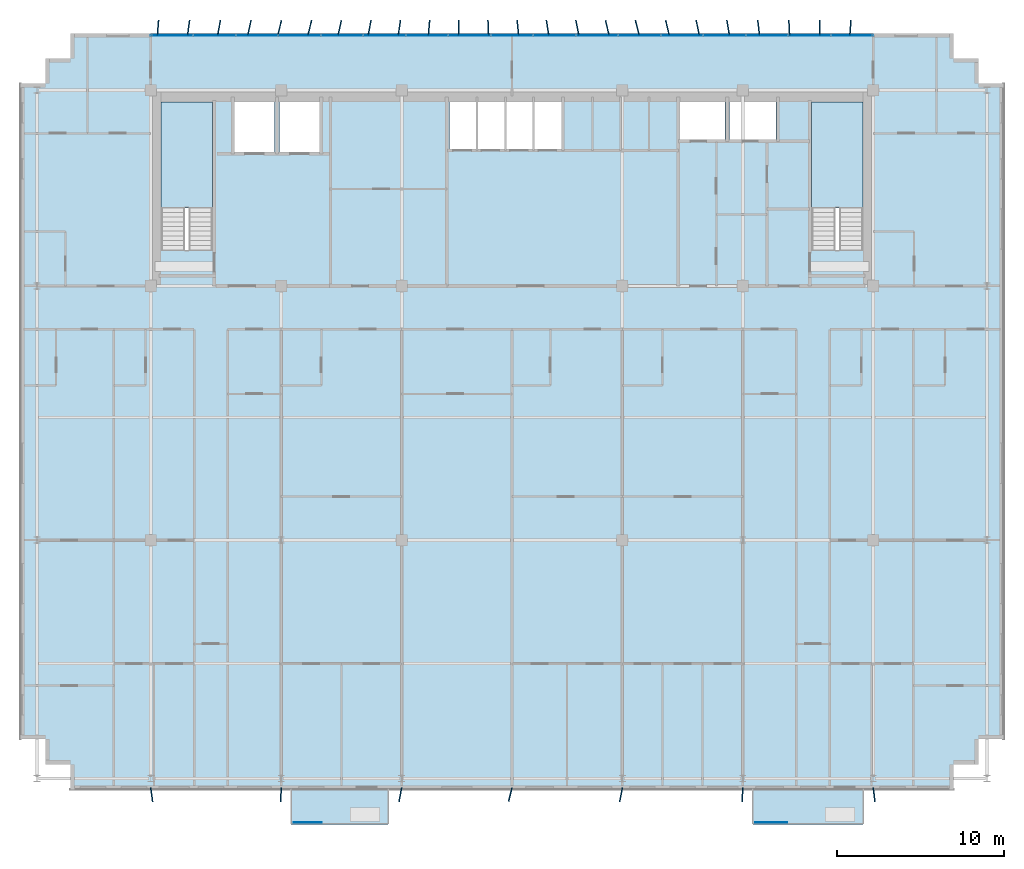
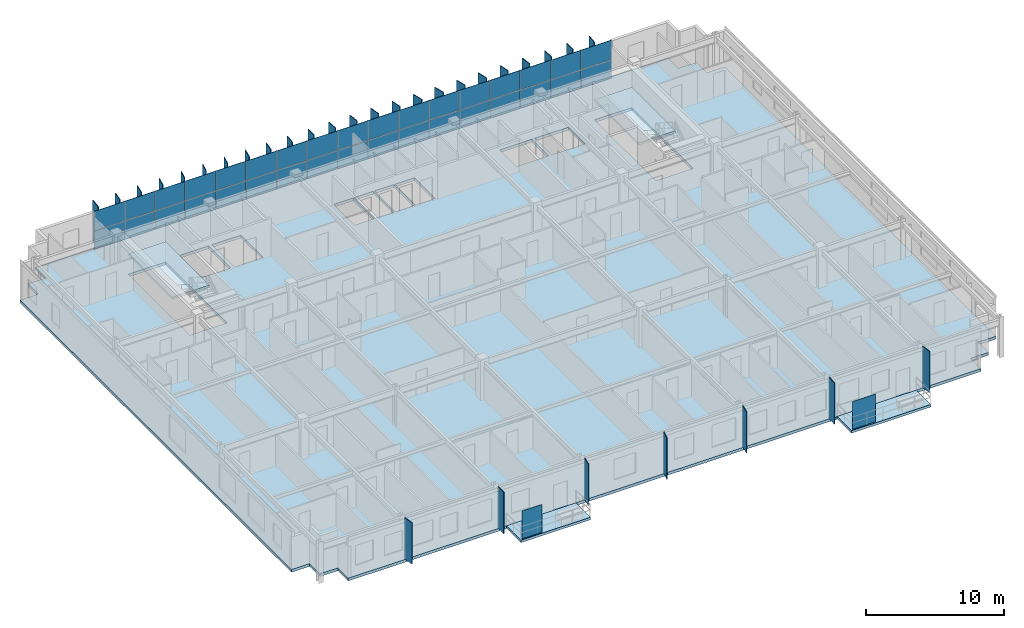
# One storey, part 13 of 21: 67 plates, 5 slabs, 3 elements without a shape of their own.
"""IFC4 building model written with IfcOpenShell, lengths in metres."""

from ifc_helpers import new_model, si_unit, direction, frame, origin, origin_2d, place, context, subcontext, project, spatial, polyline, rectangle, outline, extrude, source, transform, mapped, material, layer, layer_set, type_object, element, aggregate, save


model = new_model("IFC4")

# Units and contexts
model_context = context("Model", 3, precision=1e-05, world=origin(), true_north=direction((0.0, 1.0)))
body_context = subcontext(model_context, "Body", "Model", "MODEL_VIEW")
ifc_project = project(units=[si_unit("LENGTHUNIT", "METRE"), si_unit("AREAUNIT", "SQUARE_METRE"), si_unit("VOLUMEUNIT", "CUBIC_METRE"), si_unit("PLANEANGLEUNIT", "RADIAN"), si_unit("MASSUNIT", "GRAM", prefix="KILO")], contexts=[model_context])

# Site, building, storey
site_placement = place(None, origin())
site = spatial("IfcSite", under=ifc_project, at=site_placement, CompositionType="ELEMENT")
building_placement = place(site_placement, origin())
building = spatial("IfcBuilding", under=site, at=building_placement, Name="Trelvane Seafront Commons", CompositionType="ELEMENT")
storey_placement = place(building_placement, frame((0.0, 0.0, 135.699951171875)))
storey = spatial("IfcBuildingStorey", under=building, at=storey_placement, Name="L35", CompositionType="ELEMENT", Elevation=135.699951171875)

# Slabs
ifc_material_1 = material(Name="Concrete C40/50", Category="concrete")
ifc_layer_1 = layer(ifc_material_1, 0.219970703125, Name="ARCH-BALC-220")
ifc_layer_set_1 = layer_set([ifc_layer_1], Name="Concrete C40/50")
slab_type_1 = type_object("IfcSlabType", Name="ARCH-BALC-220", PredefinedType="FLOOR", material=ifc_layer_set_1)
slab_1_placement = place(storey_placement, frame((0.0, 0.0, -0.219970703125)))
element("IfcSlab", 1, at=slab_1_placement, inside=storey, type_object=slab_type_1, Name="L35 Cantilevered Tree Balcony Loggia 2", PredefinedType="FLOOR", context=body_context, shape_type="SweptSolid", body=[
    extrude(outline(polyline([(24.0, 1.199951171875), (29.800048828125, 1.199951171875), (29.800048828125, 3.300048828125), (24.0, 3.300048828125), (24.0, 1.199951171875)])), origin(), (0.0, 0.0, 1.0), 0.219970703125),
])
slab_2_placement = place(storey_placement, frame((0.0, 0.0, -0.219970703125)))
element("IfcSlab", 2, at=slab_2_placement, inside=storey, type_object=slab_type_1, Name="L35 Cantilevered Tree Balcony Loggia 3", PredefinedType="FLOOR", context=body_context, shape_type="SweptSolid", body=[
    extrude(outline(polyline([(51.60009765625, 1.199951171875), (58.199951171875, 1.199951171875), (58.199951171875, 3.300048828125), (51.60009765625, 3.300048828125), (51.60009765625, 1.199951171875)])), origin(), (0.0, 0.0, 1.0), 0.219970703125),
])

# Stair, slab
stair_type_1 = type_object("IfcStairType", Name="ARCH-STR-ST-1-R20-180", PredefinedType="HALF_TURN_STAIR", material=ifc_material_1)
stair_1_placement = place(storey_placement, origin())
stair_1 = element("IfcStair", 3, at=stair_1_placement, inside=storey, type_object=stair_type_1, Name="L35 West Protected Firefighting Exit Stair ST-1", PredefinedType="HALF_TURN_STAIR")
ifc_layer_2 = layer(ifc_material_1, 0.199951171875, Name="ARCH-LND-200")
ifc_layer_set_2 = layer_set([ifc_layer_2], Name="Concrete C40/50")
slab_type_2 = type_object("IfcSlabType", Name="ARCH-LND-200", PredefinedType="LANDING", material=ifc_layer_set_2)
slab_3_placement = place(storey_placement, frame((0.0, 0.0, 1.60009765625)))
slab_3 = element("IfcSlab", 4, at=slab_3_placement, type_object=slab_type_2, Name="ST-1 landing 1", PredefinedType="LANDING", context=body_context, shape_type="SweptSolid", body=[
    extrude(outline(polyline([(19.300048828125, 38.070068359375), (19.300048828125, 44.39990234375), (16.199951171875, 44.39990234375), (16.199951171875, 38.070068359375), (19.300048828125, 38.070068359375)])), origin(), (0.0, 0.0, 1.0), 0.199951171875),
])
aggregate(stair_1, [slab_3])

stair_type_2 = type_object("IfcStairType", Name="ARCH-STR-ST-2-R20-180", PredefinedType="HALF_TURN_STAIR", material=ifc_material_1)
stair_2_placement = place(storey_placement, origin())
stair_2 = element("IfcStair", 5, at=stair_2_placement, inside=storey, type_object=stair_type_2, Name="L35 East Protected Firefighting Exit Stair ST-2", PredefinedType="HALF_TURN_STAIR")
slab_4_placement = place(storey_placement, frame((0.0, 0.0, 1.60009765625)))
slab_4 = element("IfcSlab", 6, at=slab_4_placement, type_object=slab_type_2, Name="ST-2 landing 1", PredefinedType="LANDING", context=body_context, shape_type="SweptSolid", body=[
    extrude(outline(polyline([(58.199951171875, 38.070068359375), (58.199951171875, 44.39990234375), (55.10009765625, 44.39990234375), (55.10009765625, 38.070068359375), (58.199951171875, 38.070068359375)])), origin(), (0.0, 0.0, 1.0), 0.199951171875),
])
aggregate(stair_2, [slab_4])

# Slab
ifc_material_2 = material(Name="Concrete C50/60", Category="concrete")
ifc_layer_3 = layer(ifc_material_2, 0.25, Name="STR-SLB-Z3-250")
ifc_layer_set_3 = layer_set([ifc_layer_3], Name="Concrete C50/60")
slab_type_3 = type_object("IfcSlabType", Name="STR-SLB-Z3-250", PredefinedType="FLOOR", material=ifc_layer_set_3)
slab_5_placement = place(storey_placement, frame((0.0, 0.0, -0.25)))
element("IfcSlab", 7, at=slab_5_placement, inside=storey, type_object=slab_type_3, Name="L35 Structural Floor Slab", PredefinedType="FLOOR", context=body_context, shape_type="SweptSolid", body=[
    extrude(outline(polyline([(10.800048828125, 3.300048828125), (63.60009765625, 3.300048828125), (63.60009765625, 4.800048828125), (65.10009765625, 4.800048828125), (65.10009765625, 6.300048828125), (66.60009765625, 6.300048828125), (66.60009765625, 45.5), (65.10009765625, 45.5), (65.10009765625, 47.0), (63.60009765625, 47.0), (63.60009765625, 48.5), (10.800048828125, 48.5), (10.800048828125, 47.0), (9.300048828125, 47.0), (9.300048828125, 45.5), (7.800048828125, 45.5), (7.800048828125, 6.300048828125), (9.300048828125, 6.300048828125), (9.300048828125, 4.800048828125), (10.800048828125, 4.800048828125), (10.800048828125, 3.300048828125)]), holes=[polyline([(19.300048828125, 35.550048828125), (16.199951171875, 35.550048828125), (16.199951171875, 44.39990234375), (19.300048828125, 44.39990234375), (19.300048828125, 35.550048828125)]), polyline([(58.199951171875, 35.550048828125), (55.10009765625, 35.550048828125), (55.10009765625, 44.39990234375), (58.199951171875, 44.39990234375), (58.199951171875, 35.550048828125)]), polyline([(23.0, 41.39990234375), (20.60009765625, 41.39990234375), (20.60009765625, 44.60009765625), (23.0, 44.60009765625), (23.0, 41.39990234375)]), polyline([(23.300048828125, 41.39990234375), (23.300048828125, 44.60009765625), (25.699951171875, 44.60009765625), (25.699951171875, 41.39990234375), (23.300048828125, 41.39990234375)]), polyline([(33.449951171875, 41.60009765625), (33.449951171875, 44.60009765625), (35.070068359375, 44.60009765625), (35.070068359375, 41.60009765625), (33.449951171875, 41.60009765625)]), polyline([(36.77001953125, 41.60009765625), (35.14990234375, 41.60009765625), (35.14990234375, 44.60009765625), (36.77001953125, 44.60009765625), (36.77001953125, 41.60009765625)]), polyline([(38.469970703125, 41.60009765625), (36.85009765625, 41.60009765625), (36.85009765625, 44.60009765625), (38.469970703125, 44.60009765625), (38.469970703125, 41.60009765625)]), polyline([(40.169921875, 41.60009765625), (38.550048828125, 41.60009765625), (38.550048828125, 44.60009765625), (40.169921875, 44.60009765625), (40.169921875, 41.60009765625)]), polyline([(47.25, 42.14990234375), (47.25, 44.550048828125), (49.949951171875, 44.550048828125), (49.949951171875, 42.14990234375), (47.25, 42.14990234375)]), polyline([(50.199951171875, 42.14990234375), (50.199951171875, 44.550048828125), (53.0, 44.550048828125), (53.0, 42.14990234375), (50.199951171875, 42.14990234375)])]), origin(), (0.0, 0.0, 1.0), 0.25),
])

# Plates
ifc_material_3 = material(Name="Perforated anodised aluminium screen", Category="aluminium")
ifc_layer_4 = layer(ifc_material_3, 0.01611328125, Name="ARCH-PLATE-SCREEN")
ifc_layer_set_4 = layer_set([ifc_layer_4], Name="Perforated anodised aluminium screen")
plate_type_1 = type_object("IfcPlateType", Name="ARCH-PLATE-SCREEN", PredefinedType="USERDEFINED", material=ifc_layer_set_4)
shared_shape_1 = source(origin(), body_context, "Body", "SweptSolid", [
    extrude(rectangle(XDim=1.9140625, YDim=0.01611328125, at=origin_2d()), origin(), (0.0, 0.0, 1.0), 2.449951171875),
])
plate_1_placement = place(storey_placement, frame((52.70703125, 1.320068359375, 0.0), z_axis=(0.0, 0.0, 1.0), x_axis=(1.0, 0.0, 0.0)))
element("IfcPlate", 8, at=plate_1_placement, inside=storey, type_object=plate_type_1, Name="SCR-L35-00129", ObjectType="SCREEN", PredefinedType="USERDEFINED", context=body_context, shape_type="MappedRepresentation", body=[
    mapped(shared_shape_1, transform((0.0, 0.0, 0.0), x_axis=(1.0, 0.0, 0.0), y_axis=(0.0, 1.0, 0.0), z_axis=(0.0, 0.0, 1.0), scale=1.0)),
])
shared_shape_2 = source(origin(), body_context, "Body", "SweptSolid", [
    extrude(rectangle(XDim=1.681884765625, YDim=0.01611328125, at=origin_2d()), origin(), (0.0, 0.0, 1.0), 2.449951171875),
])
plate_2_placement = place(storey_placement, frame((24.990966796875, 1.320068359375, 0.0), z_axis=(0.0, 0.0, 1.0), x_axis=(1.0, 0.0, 0.0)))
element("IfcPlate", 9, at=plate_2_placement, inside=storey, type_object=plate_type_1, Name="SCR-L35-00128", ObjectType="SCREEN", PredefinedType="USERDEFINED", context=body_context, shape_type="MappedRepresentation", body=[
    mapped(shared_shape_2, transform((0.0, 0.0, 0.0), x_axis=(1.0, 0.0, 0.0), y_axis=(0.0, 1.0, 0.0), z_axis=(0.0, 0.0, 1.0), scale=1.0)),
])
ifc_material_4 = material(Name="Anodised pale-silver aluminium", Category="aluminium")
ifc_layer_5 = layer(ifc_material_4, 0.06005859375, Name="ARCH-PLATE-FIN900")
ifc_layer_set_5 = layer_set([ifc_layer_5], Name="Anodised pale-silver aluminium")
plate_type_2 = type_object("IfcPlateType", Name="ARCH-PLATE-FIN900", PredefinedType="USERDEFINED", material=ifc_layer_set_5)
shared_shape_3 = source(origin(), body_context, "Body", "SweptSolid", [
    extrude(rectangle(XDim=0.89990234375, YDim=0.06005859375, at=origin_2d()), origin(), (0.0, 0.0, 1.0), 3.639892578125),
])
for number, where, z_axis, x_axis, name in (
    (10, (16.0341796875, 48.8486328125, -0.02001953125), (0.0, 0.0, 1.0), (0.076000311715, 0.997107793881, 0.0), "FIN-L35-00937"),
    (11, (17.861083984375, 48.845703125, -0.02001953125), (0.0, 0.0, 1.0), (0.135554756797, 0.990769856177, 0.0), "FIN-L35-00938"),
    (12, (19.68310546875, 48.84228515625, -0.02001953125), (0.0, 0.0, 1.0), (0.184670115059, 0.982800564003, 0.0), "FIN-L35-00939"),
    (13, (21.4990234375, 48.839111328125, -0.02001953125), (0.0, 0.0, 1.0), (0.219881959414, 0.975526485506, 0.0), "FIN-L35-00940"),
    (14, (25.108154296875, 48.8369140625, -0.02001953125), (0.0, 0.0, 1.0), (0.240443202498, 0.970663209549, 0.0), "FIN-L35-00942"),
    (15, (26.90087890625, 48.83837890625, -0.02001953125), (0.0, 0.0, 1.0), (0.224559899017, 0.974460287417, 0.0), "FIN-L35-00943"),
    (16, (28.6865234375, 48.841552734375, -0.02001953125), (0.0, 0.0, 1.0), (0.192119470828, 0.981371544793, 0.0), "FIN-L35-00944"),
    (17, (30.46533203125, 48.84521484375, -0.02001953125), (0.0, 0.0, 1.0), (0.145216216421, 0.989399944658, 0.0), "FIN-L35-00945"),
    (18, (32.2392578125, 48.848388671875, -0.02001953125), (0.0, 0.0, 1.0), (0.087329610194, 0.996179471372, 0.0), "FIN-L35-00946"),
    (19, (34.01025390625, 48.849853515625, -0.02001953125), (0.0, 0.0, 1.0), (0.022666395008, 0.999743084266, 0.0), "FIN-L35-00947"),
    (20, (35.7802734375, 48.849609375, -0.02001953125), (0.0, 0.0, 1.0), (-0.043779804266, 0.999041204725, 0.0), "FIN-L35-00948"),
    (21, (37.552001953125, 48.847412109375, -0.02001953125), (0.0, 0.0, 1.0), (-0.106784690876, 0.994282168096, 0.0), "FIN-L35-00949"),
    (22, (39.3271484375, 48.843994140625, -0.02001953125), (0.0, 0.0, 1.0), (-0.161658937272, 0.986846689208, 0.0), "FIN-L35-00950"),
    (23, (41.108154296875, 48.840576171875, -0.02001953125), (0.0, 0.0, 1.0), (-0.204123595845, 0.978945124927, 0.0), "FIN-L35-00951"),
    (24, (42.895751953125, 48.837890625, -0.02001953125), (0.0, 0.0, 1.0), (-0.231435493737, 0.972850251703, 0.0), "FIN-L35-00952"),
    (25, (44.691162109375, 48.836669921875, -0.02001953125), (0.0, 0.0, 1.0), (-0.241881251735, 0.970305859025, 0.0), "FIN-L35-00953"),
    (26, (46.494384765625, 48.83740234375, -0.02001953125), (0.0, 0.0, 1.0), (-0.234658612322, 0.972077844446, 0.0), "FIN-L35-00954"),
    (27, (48.305419921875, 48.840087890625, -0.02001953125), (0.0, 0.0, 1.0), (-0.210219230205, 0.977654271843, 0.0), "FIN-L35-00955"),
    (28, (51.947265625, 48.846923828125, -0.02001953125), (0.0, 0.0, 1.0), (-0.117440335937, 0.993079940133, 0.0), "FIN-L35-00957"),
    (29, (53.77490234375, 48.849365234375, -0.02001953125), (0.0, 0.0, 1.0), (-0.055556626635, 0.998455537937, 0.0), "FIN-L35-00958"),
    (30, (55.604736328125, 48.849853515625, -0.02001953125), (0.0, 0.0, 1.0), (0.010667250073, 0.999943103269, 0.0), "FIN-L35-00959"),
    (31, (57.43408203125, 48.8486328125, -0.02001953125), (0.0, 0.0, 1.0), (0.076000311715, 0.997107793881, 0.0), "FIN-L35-00960"),
):
    element("IfcPlate", number, at=place(storey_placement, frame(where, z_axis=z_axis, x_axis=x_axis)), inside=storey, type_object=plate_type_2, Name=name, ObjectType="FIN", PredefinedType="USERDEFINED", context=body_context, shape_type="MappedRepresentation", body=[
        mapped(shared_shape_3, transform((0.0, 0.0, 0.0), x_axis=(1.0, 0.0, 0.0), y_axis=(0.0, 1.0, 0.0), z_axis=(0.0, 0.0, 1.0), scale=1.0)),
    ])
shared_shape_4 = source(origin(), body_context, "Body", "SweptSolid", [
    extrude(rectangle(XDim=0.900146484375, YDim=0.06005859375, at=origin_2d()), origin(), (0.0, 0.0, 1.0), 3.639892578125),
])
for number, where, z_axis, x_axis, name in (
    (32, (23.3076171875, 48.8369140625, -0.02001953125), (0.0, 0.0, 1.0), (0.238874127656, 0.97105053995, 0.0), "FIN-L35-00941"),
    (33, (50.123291015625, 48.843505859375, -0.02001953125), (0.0, 0.0, 1.0), (-0.170323008878, 0.985388285219, 0.0), "FIN-L35-00956"),
):
    element("IfcPlate", number, at=place(storey_placement, frame(where, z_axis=z_axis, x_axis=x_axis)), inside=storey, type_object=plate_type_2, Name=name, ObjectType="FIN", PredefinedType="USERDEFINED", context=body_context, shape_type="MappedRepresentation", body=[
        mapped(shared_shape_4, transform((0.0, 0.0, 0.0), x_axis=(1.0, 0.0, 0.0), y_axis=(0.0, 1.0, 0.0), z_axis=(0.0, 0.0, 1.0), scale=1.0)),
    ])
shared_shape_5 = source(origin(), body_context, "Body", "SweptSolid", [
    extrude(rectangle(XDim=0.85009765625, YDim=0.06005859375, at=origin_2d()), origin(), (0.0, 0.0, 1.0), 3.639892578125),
])
for number, where, z_axis, x_axis, name in (
    (34, (15.654541015625, 2.978515625, -0.02001953125), (0.0, 0.0, 1.0), (0.128233068264, -0.991744059828, 0.0), "FIN-S-L35-00961"),
    (35, (23.385009765625, 2.97509765625, -0.02001953125), (0.0, 0.0, 1.0), (-0.035527425548, -0.999368701748, 0.0), "FIN-S-L35-00962"),
    (36, (30.522705078125, 2.982177734375, -0.02001953125), (0.0, 0.0, 1.0), (-0.18188714504, -0.98331941223, 0.0), "FIN-S-L35-00963"),
    (37, (37.09716796875, 2.987548828125, -0.02001953125), (0.0, 0.0, 1.0), (-0.241871090703, -0.970308391947, 0.0), "FIN-S-L35-00964"),
    (38, (43.719482421875, 2.982666015625, -0.02001953125), (0.0, 0.0, 1.0), (-0.189527312685, -0.981875449202, 0.0), "FIN-S-L35-00965"),
    (39, (50.979736328125, 2.9755859375, -0.02001953125), (0.0, 0.0, 1.0), (-0.047415028791, -0.998875275019, 0.0), "FIN-S-L35-00966"),
    (40, (58.85009765625, 2.977783203125, -0.02001953125), (0.0, 0.0, 1.0), (0.117762714516, -0.993041763004, 0.0), "FIN-S-L35-00967"),
):
    element("IfcPlate", number, at=place(storey_placement, frame(where, z_axis=z_axis, x_axis=x_axis)), inside=storey, type_object=plate_type_2, Name=name, ObjectType="FIN", PredefinedType="USERDEFINED", context=body_context, shape_type="MappedRepresentation", body=[
        mapped(shared_shape_5, transform((0.0, 0.0, 0.0), x_axis=(1.0, 0.0, 0.0), y_axis=(0.0, 1.0, 0.0), z_axis=(0.0, 0.0, 1.0), scale=1.0)),
    ])

# Curtain wall, plates
curtain_wall_type = type_object("IfcCurtainWallType", Name="ARCH-CW5-UPTOWER", PredefinedType="NOTDEFINED", material=ifc_material_4)
curtain_wall_placement = place(storey_placement, origin())
curtain_wall = element("IfcCurtainWall", 41, at=curtain_wall_placement, inside=storey, type_object=curtain_wall_type, Name="CW-L35-0062", PredefinedType="NOTDEFINED")
ifc_material_5 = material(Name="Low-E coastal double glazing", Category="glass")
ifc_layer_6 = layer(ifc_material_5, 0.033935546875, Name="ARCH-CW-GLAZ-34")
ifc_layer_set_6 = layer_set([ifc_layer_6], Name="Low-E coastal double glazing")
plate_type_3 = type_object("IfcPlateType", Name="ARCH-CW-GLAZ-34", PredefinedType="CURTAIN_PANEL", material=ifc_layer_set_6)
shared_shape_6 = source(origin(), body_context, "Body", "SweptSolid", [
    extrude(rectangle(XDim=2.51708984375, YDim=0.033935546875, at=origin_2d()), origin(), (0.0, 0.0, 1.0), 1.590087890625),
])
plate_3_placement = place(storey_placement, frame((16.87060546875, 48.3701171875, 0.0), z_axis=(0.0, 0.0, 1.0), x_axis=(1.0, 0.0, 0.0)))
plate_3 = element("IfcPlate", 42, at=plate_3_placement, type_object=plate_type_3, Name="CW-L35-0062-P00-1", PredefinedType="CURTAIN_PANEL", context=body_context, shape_type="MappedRepresentation", body=[
    mapped(shared_shape_6, transform((0.0, 0.0, 0.0), x_axis=(1.0, 0.0, 0.0), y_axis=(0.0, 1.0, 0.0), z_axis=(0.0, 0.0, 1.0), scale=1.0)),
])
plate_4_placement = place(storey_placement, frame((19.411865234375, 48.3701171875, 0.0), z_axis=(0.0, 0.0, 1.0), x_axis=(1.0, 0.0, 0.0)))
plate_4 = element("IfcPlate", 43, at=plate_4_placement, type_object=plate_type_3, Name="CW-L35-0062-P01-1", PredefinedType="CURTAIN_PANEL", context=body_context, shape_type="MappedRepresentation", body=[
    mapped(shared_shape_6, transform((0.0, 0.0, 0.0), x_axis=(1.0, 0.0, 0.0), y_axis=(0.0, 1.0, 0.0), z_axis=(0.0, 0.0, 1.0), scale=1.0)),
])
plate_5_placement = place(storey_placement, frame((21.952880859375, 48.3701171875, 0.0), z_axis=(0.0, 0.0, 1.0), x_axis=(1.0, 0.0, 0.0)))
plate_5 = element("IfcPlate", 44, at=plate_5_placement, type_object=plate_type_3, Name="CW-L35-0062-P02-1", PredefinedType="CURTAIN_PANEL", context=body_context, shape_type="MappedRepresentation", body=[
    mapped(shared_shape_6, transform((0.0, 0.0, 0.0), x_axis=(1.0, 0.0, 0.0), y_axis=(0.0, 1.0, 0.0), z_axis=(0.0, 0.0, 1.0), scale=1.0)),
])
plate_6_placement = place(storey_placement, frame((24.494140625, 48.3701171875, 0.0), z_axis=(0.0, 0.0, 1.0), x_axis=(1.0, 0.0, 0.0)))
plate_6 = element("IfcPlate", 45, at=plate_6_placement, type_object=plate_type_3, Name="CW-L35-0062-P03-1", PredefinedType="CURTAIN_PANEL", context=body_context, shape_type="MappedRepresentation", body=[
    mapped(shared_shape_6, transform((0.0, 0.0, 0.0), x_axis=(1.0, 0.0, 0.0), y_axis=(0.0, 1.0, 0.0), z_axis=(0.0, 0.0, 1.0), scale=1.0)),
])
plate_7_placement = place(storey_placement, frame((27.035400390625, 48.3701171875, 0.0), z_axis=(0.0, 0.0, 1.0), x_axis=(1.0, 0.0, 0.0)))
plate_7 = element("IfcPlate", 46, at=plate_7_placement, type_object=plate_type_3, Name="CW-L35-0062-P04-1", PredefinedType="CURTAIN_PANEL", context=body_context, shape_type="MappedRepresentation", body=[
    mapped(shared_shape_6, transform((0.0, 0.0, 0.0), x_axis=(1.0, 0.0, 0.0), y_axis=(0.0, 1.0, 0.0), z_axis=(0.0, 0.0, 1.0), scale=1.0)),
])
plate_8_placement = place(storey_placement, frame((29.576416015625, 48.3701171875, 0.0), z_axis=(0.0, 0.0, 1.0), x_axis=(1.0, 0.0, 0.0)))
plate_8 = element("IfcPlate", 47, at=plate_8_placement, type_object=plate_type_3, Name="CW-L35-0062-P05-1", PredefinedType="CURTAIN_PANEL", context=body_context, shape_type="MappedRepresentation", body=[
    mapped(shared_shape_6, transform((0.0, 0.0, 0.0), x_axis=(1.0, 0.0, 0.0), y_axis=(0.0, 1.0, 0.0), z_axis=(0.0, 0.0, 1.0), scale=1.0)),
])
plate_9_placement = place(storey_placement, frame((32.11767578125, 48.3701171875, 0.0), z_axis=(0.0, 0.0, 1.0), x_axis=(1.0, 0.0, 0.0)))
plate_9 = element("IfcPlate", 48, at=plate_9_placement, type_object=plate_type_3, Name="CW-L35-0062-P06-1", PredefinedType="CURTAIN_PANEL", context=body_context, shape_type="MappedRepresentation", body=[
    mapped(shared_shape_6, transform((0.0, 0.0, 0.0), x_axis=(1.0, 0.0, 0.0), y_axis=(0.0, 1.0, 0.0), z_axis=(0.0, 0.0, 1.0), scale=1.0)),
])
plate_10_placement = place(storey_placement, frame((34.65869140625, 48.3701171875, 0.0), z_axis=(0.0, 0.0, 1.0), x_axis=(1.0, 0.0, 0.0)))
plate_10 = element("IfcPlate", 49, at=plate_10_placement, type_object=plate_type_3, Name="CW-L35-0062-P07-1", PredefinedType="CURTAIN_PANEL", context=body_context, shape_type="MappedRepresentation", body=[
    mapped(shared_shape_6, transform((0.0, 0.0, 0.0), x_axis=(1.0, 0.0, 0.0), y_axis=(0.0, 1.0, 0.0), z_axis=(0.0, 0.0, 1.0), scale=1.0)),
])
plate_11_placement = place(storey_placement, frame((37.199951171875, 48.3701171875, 0.0), z_axis=(0.0, 0.0, 1.0), x_axis=(1.0, 0.0, 0.0)))
plate_11 = element("IfcPlate", 50, at=plate_11_placement, type_object=plate_type_3, Name="CW-L35-0062-P08-1", PredefinedType="CURTAIN_PANEL", context=body_context, shape_type="MappedRepresentation", body=[
    mapped(shared_shape_6, transform((0.0, 0.0, 0.0), x_axis=(1.0, 0.0, 0.0), y_axis=(0.0, 1.0, 0.0), z_axis=(0.0, 0.0, 1.0), scale=1.0)),
])
plate_12_placement = place(storey_placement, frame((39.7412109375, 48.3701171875, 0.0), z_axis=(0.0, 0.0, 1.0), x_axis=(1.0, 0.0, 0.0)))
plate_12 = element("IfcPlate", 51, at=plate_12_placement, type_object=plate_type_3, Name="CW-L35-0062-P09-1", PredefinedType="CURTAIN_PANEL", context=body_context, shape_type="MappedRepresentation", body=[
    mapped(shared_shape_6, transform((0.0, 0.0, 0.0), x_axis=(1.0, 0.0, 0.0), y_axis=(0.0, 1.0, 0.0), z_axis=(0.0, 0.0, 1.0), scale=1.0)),
])
plate_13_placement = place(storey_placement, frame((42.282470703125, 48.3701171875, 0.0), z_axis=(0.0, 0.0, 1.0), x_axis=(1.0, 0.0, 0.0)))
plate_13 = element("IfcPlate", 52, at=plate_13_placement, type_object=plate_type_3, Name="CW-L35-0062-P10-1", PredefinedType="CURTAIN_PANEL", context=body_context, shape_type="MappedRepresentation", body=[
    mapped(shared_shape_6, transform((0.0, 0.0, 0.0), x_axis=(1.0, 0.0, 0.0), y_axis=(0.0, 1.0, 0.0), z_axis=(0.0, 0.0, 1.0), scale=1.0)),
])
plate_14_placement = place(storey_placement, frame((44.823486328125, 48.3701171875, 0.0), z_axis=(0.0, 0.0, 1.0), x_axis=(1.0, 0.0, 0.0)))
plate_14 = element("IfcPlate", 53, at=plate_14_placement, type_object=plate_type_3, Name="CW-L35-0062-P11-1", PredefinedType="CURTAIN_PANEL", context=body_context, shape_type="MappedRepresentation", body=[
    mapped(shared_shape_6, transform((0.0, 0.0, 0.0), x_axis=(1.0, 0.0, 0.0), y_axis=(0.0, 1.0, 0.0), z_axis=(0.0, 0.0, 1.0), scale=1.0)),
])
plate_15_placement = place(storey_placement, frame((47.36474609375, 48.3701171875, 0.0), z_axis=(0.0, 0.0, 1.0), x_axis=(1.0, 0.0, 0.0)))
plate_15 = element("IfcPlate", 54, at=plate_15_placement, type_object=plate_type_3, Name="CW-L35-0062-P12-1", PredefinedType="CURTAIN_PANEL", context=body_context, shape_type="MappedRepresentation", body=[
    mapped(shared_shape_6, transform((0.0, 0.0, 0.0), x_axis=(1.0, 0.0, 0.0), y_axis=(0.0, 1.0, 0.0), z_axis=(0.0, 0.0, 1.0), scale=1.0)),
])
plate_16_placement = place(storey_placement, frame((49.906005859375, 48.3701171875, 0.0), z_axis=(0.0, 0.0, 1.0), x_axis=(1.0, 0.0, 0.0)))
plate_16 = element("IfcPlate", 55, at=plate_16_placement, type_object=plate_type_3, Name="CW-L35-0062-P13-1", PredefinedType="CURTAIN_PANEL", context=body_context, shape_type="MappedRepresentation", body=[
    mapped(shared_shape_6, transform((0.0, 0.0, 0.0), x_axis=(1.0, 0.0, 0.0), y_axis=(0.0, 1.0, 0.0), z_axis=(0.0, 0.0, 1.0), scale=1.0)),
])
plate_17_placement = place(storey_placement, frame((52.447021484375, 48.3701171875, 0.0), z_axis=(0.0, 0.0, 1.0), x_axis=(1.0, 0.0, 0.0)))
plate_17 = element("IfcPlate", 56, at=plate_17_placement, type_object=plate_type_3, Name="CW-L35-0062-P14-1", PredefinedType="CURTAIN_PANEL", context=body_context, shape_type="MappedRepresentation", body=[
    mapped(shared_shape_6, transform((0.0, 0.0, 0.0), x_axis=(1.0, 0.0, 0.0), y_axis=(0.0, 1.0, 0.0), z_axis=(0.0, 0.0, 1.0), scale=1.0)),
])
plate_18_placement = place(storey_placement, frame((54.98828125, 48.3701171875, 0.0), z_axis=(0.0, 0.0, 1.0), x_axis=(1.0, 0.0, 0.0)))
plate_18 = element("IfcPlate", 57, at=plate_18_placement, type_object=plate_type_3, Name="CW-L35-0062-P15-1", PredefinedType="CURTAIN_PANEL", context=body_context, shape_type="MappedRepresentation", body=[
    mapped(shared_shape_6, transform((0.0, 0.0, 0.0), x_axis=(1.0, 0.0, 0.0), y_axis=(0.0, 1.0, 0.0), z_axis=(0.0, 0.0, 1.0), scale=1.0)),
])
plate_19_placement = place(storey_placement, frame((57.529296875, 48.3701171875, 0.0), z_axis=(0.0, 0.0, 1.0), x_axis=(1.0, 0.0, 0.0)))
plate_19 = element("IfcPlate", 58, at=plate_19_placement, type_object=plate_type_3, Name="CW-L35-0062-P16-1", PredefinedType="CURTAIN_PANEL", context=body_context, shape_type="MappedRepresentation", body=[
    mapped(shared_shape_6, transform((0.0, 0.0, 0.0), x_axis=(1.0, 0.0, 0.0), y_axis=(0.0, 1.0, 0.0), z_axis=(0.0, 0.0, 1.0), scale=1.0)),
])
shared_shape_7 = source(origin(), body_context, "Body", "SweptSolid", [
    extrude(rectangle(XDim=2.51708984375, YDim=0.033935546875, at=origin_2d()), origin(), (0.0, 0.0, 1.0), 1.72412109375),
])
plate_20_placement = place(storey_placement, frame((16.87060546875, 48.3701171875, 1.6259765625), z_axis=(0.0, 0.0, 1.0), x_axis=(1.0, 0.0, 0.0)))
plate_20 = element("IfcPlate", 59, at=plate_20_placement, type_object=plate_type_3, Name="CW-L35-0062-P00-2", PredefinedType="CURTAIN_PANEL", context=body_context, shape_type="MappedRepresentation", body=[
    mapped(shared_shape_7, transform((0.0, 0.0, 0.0), x_axis=(1.0, 0.0, 0.0), y_axis=(0.0, 1.0, 0.0), z_axis=(0.0, 0.0, 1.0), scale=1.0)),
])
plate_21_placement = place(storey_placement, frame((19.411865234375, 48.3701171875, 1.6259765625), z_axis=(0.0, 0.0, 1.0), x_axis=(1.0, 0.0, 0.0)))
plate_21 = element("IfcPlate", 60, at=plate_21_placement, type_object=plate_type_3, Name="CW-L35-0062-P01-2", PredefinedType="CURTAIN_PANEL", context=body_context, shape_type="MappedRepresentation", body=[
    mapped(shared_shape_7, transform((0.0, 0.0, 0.0), x_axis=(1.0, 0.0, 0.0), y_axis=(0.0, 1.0, 0.0), z_axis=(0.0, 0.0, 1.0), scale=1.0)),
])
plate_22_placement = place(storey_placement, frame((21.952880859375, 48.3701171875, 1.6259765625), z_axis=(0.0, 0.0, 1.0), x_axis=(1.0, 0.0, 0.0)))
plate_22 = element("IfcPlate", 61, at=plate_22_placement, type_object=plate_type_3, Name="CW-L35-0062-P02-2", PredefinedType="CURTAIN_PANEL", context=body_context, shape_type="MappedRepresentation", body=[
    mapped(shared_shape_7, transform((0.0, 0.0, 0.0), x_axis=(1.0, 0.0, 0.0), y_axis=(0.0, 1.0, 0.0), z_axis=(0.0, 0.0, 1.0), scale=1.0)),
])
plate_23_placement = place(storey_placement, frame((24.494140625, 48.3701171875, 1.6259765625), z_axis=(0.0, 0.0, 1.0), x_axis=(1.0, 0.0, 0.0)))
plate_23 = element("IfcPlate", 62, at=plate_23_placement, type_object=plate_type_3, Name="CW-L35-0062-P03-2", PredefinedType="CURTAIN_PANEL", context=body_context, shape_type="MappedRepresentation", body=[
    mapped(shared_shape_7, transform((0.0, 0.0, 0.0), x_axis=(1.0, 0.0, 0.0), y_axis=(0.0, 1.0, 0.0), z_axis=(0.0, 0.0, 1.0), scale=1.0)),
])
plate_24_placement = place(storey_placement, frame((27.035400390625, 48.3701171875, 1.6259765625), z_axis=(0.0, 0.0, 1.0), x_axis=(1.0, 0.0, 0.0)))
plate_24 = element("IfcPlate", 63, at=plate_24_placement, type_object=plate_type_3, Name="CW-L35-0062-P04-2", PredefinedType="CURTAIN_PANEL", context=body_context, shape_type="MappedRepresentation", body=[
    mapped(shared_shape_7, transform((0.0, 0.0, 0.0), x_axis=(1.0, 0.0, 0.0), y_axis=(0.0, 1.0, 0.0), z_axis=(0.0, 0.0, 1.0), scale=1.0)),
])
plate_25_placement = place(storey_placement, frame((29.576416015625, 48.3701171875, 1.6259765625), z_axis=(0.0, 0.0, 1.0), x_axis=(1.0, 0.0, 0.0)))
plate_25 = element("IfcPlate", 64, at=plate_25_placement, type_object=plate_type_3, Name="CW-L35-0062-P05-2", PredefinedType="CURTAIN_PANEL", context=body_context, shape_type="MappedRepresentation", body=[
    mapped(shared_shape_7, transform((0.0, 0.0, 0.0), x_axis=(1.0, 0.0, 0.0), y_axis=(0.0, 1.0, 0.0), z_axis=(0.0, 0.0, 1.0), scale=1.0)),
])
plate_26_placement = place(storey_placement, frame((32.11767578125, 48.3701171875, 1.6259765625), z_axis=(0.0, 0.0, 1.0), x_axis=(1.0, 0.0, 0.0)))
plate_26 = element("IfcPlate", 65, at=plate_26_placement, type_object=plate_type_3, Name="CW-L35-0062-P06-2", PredefinedType="CURTAIN_PANEL", context=body_context, shape_type="MappedRepresentation", body=[
    mapped(shared_shape_7, transform((0.0, 0.0, 0.0), x_axis=(1.0, 0.0, 0.0), y_axis=(0.0, 1.0, 0.0), z_axis=(0.0, 0.0, 1.0), scale=1.0)),
])
plate_27_placement = place(storey_placement, frame((34.65869140625, 48.3701171875, 1.6259765625), z_axis=(0.0, 0.0, 1.0), x_axis=(1.0, 0.0, 0.0)))
plate_27 = element("IfcPlate", 66, at=plate_27_placement, type_object=plate_type_3, Name="CW-L35-0062-P07-2", PredefinedType="CURTAIN_PANEL", context=body_context, shape_type="MappedRepresentation", body=[
    mapped(shared_shape_7, transform((0.0, 0.0, 0.0), x_axis=(1.0, 0.0, 0.0), y_axis=(0.0, 1.0, 0.0), z_axis=(0.0, 0.0, 1.0), scale=1.0)),
])
plate_28_placement = place(storey_placement, frame((37.199951171875, 48.3701171875, 1.6259765625), z_axis=(0.0, 0.0, 1.0), x_axis=(1.0, 0.0, 0.0)))
plate_28 = element("IfcPlate", 67, at=plate_28_placement, type_object=plate_type_3, Name="CW-L35-0062-P08-2", PredefinedType="CURTAIN_PANEL", context=body_context, shape_type="MappedRepresentation", body=[
    mapped(shared_shape_7, transform((0.0, 0.0, 0.0), x_axis=(1.0, 0.0, 0.0), y_axis=(0.0, 1.0, 0.0), z_axis=(0.0, 0.0, 1.0), scale=1.0)),
])
plate_29_placement = place(storey_placement, frame((39.7412109375, 48.3701171875, 1.6259765625), z_axis=(0.0, 0.0, 1.0), x_axis=(1.0, 0.0, 0.0)))
plate_29 = element("IfcPlate", 68, at=plate_29_placement, type_object=plate_type_3, Name="CW-L35-0062-P09-2", PredefinedType="CURTAIN_PANEL", context=body_context, shape_type="MappedRepresentation", body=[
    mapped(shared_shape_7, transform((0.0, 0.0, 0.0), x_axis=(1.0, 0.0, 0.0), y_axis=(0.0, 1.0, 0.0), z_axis=(0.0, 0.0, 1.0), scale=1.0)),
])
plate_30_placement = place(storey_placement, frame((42.282470703125, 48.3701171875, 1.6259765625), z_axis=(0.0, 0.0, 1.0), x_axis=(1.0, 0.0, 0.0)))
plate_30 = element("IfcPlate", 69, at=plate_30_placement, type_object=plate_type_3, Name="CW-L35-0062-P10-2", PredefinedType="CURTAIN_PANEL", context=body_context, shape_type="MappedRepresentation", body=[
    mapped(shared_shape_7, transform((0.0, 0.0, 0.0), x_axis=(1.0, 0.0, 0.0), y_axis=(0.0, 1.0, 0.0), z_axis=(0.0, 0.0, 1.0), scale=1.0)),
])
plate_31_placement = place(storey_placement, frame((44.823486328125, 48.3701171875, 1.6259765625), z_axis=(0.0, 0.0, 1.0), x_axis=(1.0, 0.0, 0.0)))
plate_31 = element("IfcPlate", 70, at=plate_31_placement, type_object=plate_type_3, Name="CW-L35-0062-P11-2", PredefinedType="CURTAIN_PANEL", context=body_context, shape_type="MappedRepresentation", body=[
    mapped(shared_shape_7, transform((0.0, 0.0, 0.0), x_axis=(1.0, 0.0, 0.0), y_axis=(0.0, 1.0, 0.0), z_axis=(0.0, 0.0, 1.0), scale=1.0)),
])
plate_32_placement = place(storey_placement, frame((47.36474609375, 48.3701171875, 1.6259765625), z_axis=(0.0, 0.0, 1.0), x_axis=(1.0, 0.0, 0.0)))
plate_32 = element("IfcPlate", 71, at=plate_32_placement, type_object=plate_type_3, Name="CW-L35-0062-P12-2", PredefinedType="CURTAIN_PANEL", context=body_context, shape_type="MappedRepresentation", body=[
    mapped(shared_shape_7, transform((0.0, 0.0, 0.0), x_axis=(1.0, 0.0, 0.0), y_axis=(0.0, 1.0, 0.0), z_axis=(0.0, 0.0, 1.0), scale=1.0)),
])
plate_33_placement = place(storey_placement, frame((49.906005859375, 48.3701171875, 1.6259765625), z_axis=(0.0, 0.0, 1.0), x_axis=(1.0, 0.0, 0.0)))
plate_33 = element("IfcPlate", 72, at=plate_33_placement, type_object=plate_type_3, Name="CW-L35-0062-P13-2", PredefinedType="CURTAIN_PANEL", context=body_context, shape_type="MappedRepresentation", body=[
    mapped(shared_shape_7, transform((0.0, 0.0, 0.0), x_axis=(1.0, 0.0, 0.0), y_axis=(0.0, 1.0, 0.0), z_axis=(0.0, 0.0, 1.0), scale=1.0)),
])
plate_34_placement = place(storey_placement, frame((52.447021484375, 48.3701171875, 1.6259765625), z_axis=(0.0, 0.0, 1.0), x_axis=(1.0, 0.0, 0.0)))
plate_34 = element("IfcPlate", 73, at=plate_34_placement, type_object=plate_type_3, Name="CW-L35-0062-P14-2", PredefinedType="CURTAIN_PANEL", context=body_context, shape_type="MappedRepresentation", body=[
    mapped(shared_shape_7, transform((0.0, 0.0, 0.0), x_axis=(1.0, 0.0, 0.0), y_axis=(0.0, 1.0, 0.0), z_axis=(0.0, 0.0, 1.0), scale=1.0)),
])
plate_35_placement = place(storey_placement, frame((54.98828125, 48.3701171875, 1.6259765625), z_axis=(0.0, 0.0, 1.0), x_axis=(1.0, 0.0, 0.0)))
plate_35 = element("IfcPlate", 74, at=plate_35_placement, type_object=plate_type_3, Name="CW-L35-0062-P15-2", PredefinedType="CURTAIN_PANEL", context=body_context, shape_type="MappedRepresentation", body=[
    mapped(shared_shape_7, transform((0.0, 0.0, 0.0), x_axis=(1.0, 0.0, 0.0), y_axis=(0.0, 1.0, 0.0), z_axis=(0.0, 0.0, 1.0), scale=1.0)),
])
plate_36_placement = place(storey_placement, frame((57.529296875, 48.3701171875, 1.6259765625), z_axis=(0.0, 0.0, 1.0), x_axis=(1.0, 0.0, 0.0)))
plate_36 = element("IfcPlate", 75, at=plate_36_placement, type_object=plate_type_3, Name="CW-L35-0062-P16-2", PredefinedType="CURTAIN_PANEL", context=body_context, shape_type="MappedRepresentation", body=[
    mapped(shared_shape_7, transform((0.0, 0.0, 0.0), x_axis=(1.0, 0.0, 0.0), y_axis=(0.0, 1.0, 0.0), z_axis=(0.0, 0.0, 1.0), scale=1.0)),
])
aggregate(curtain_wall, [plate_3, plate_20, plate_4, plate_21, plate_5, plate_22, plate_6, plate_23, plate_7, plate_24, plate_8, plate_25, plate_9, plate_26, plate_10, plate_27, plate_11, plate_28, plate_12, plate_29, plate_13, plate_30, plate_14, plate_31, plate_15, plate_32, plate_16, plate_33, plate_17, plate_34, plate_18, plate_35, plate_19, plate_36])

save(model, "model.ifc")
